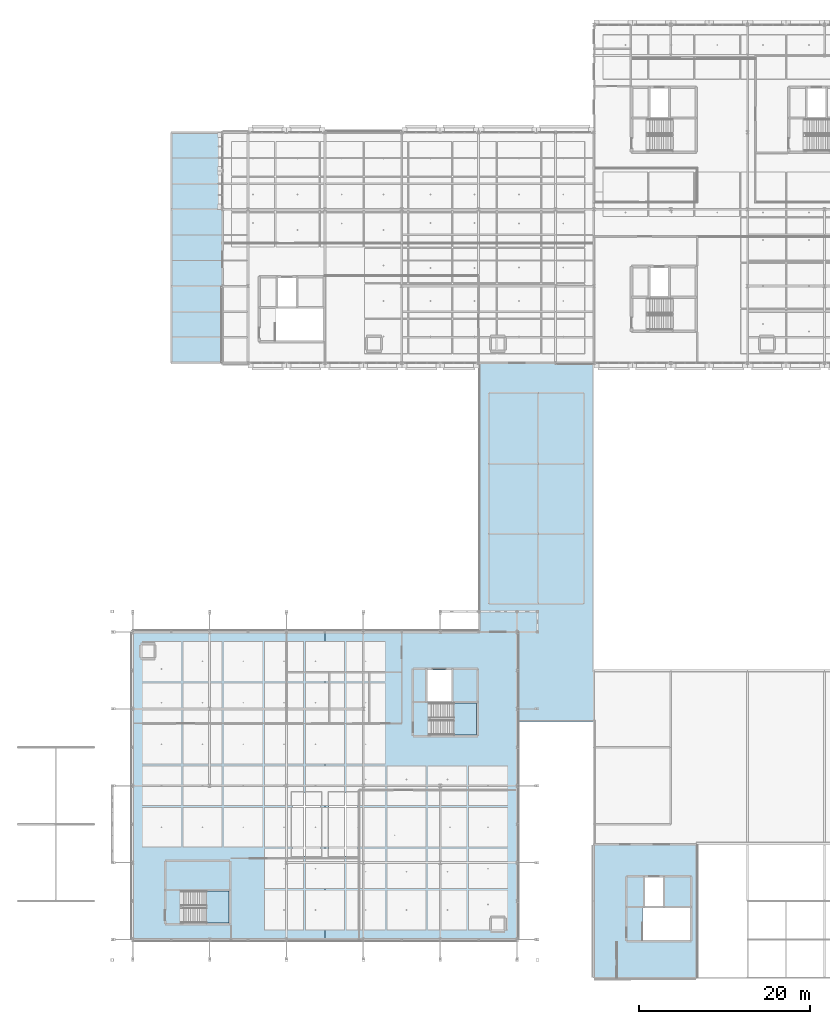
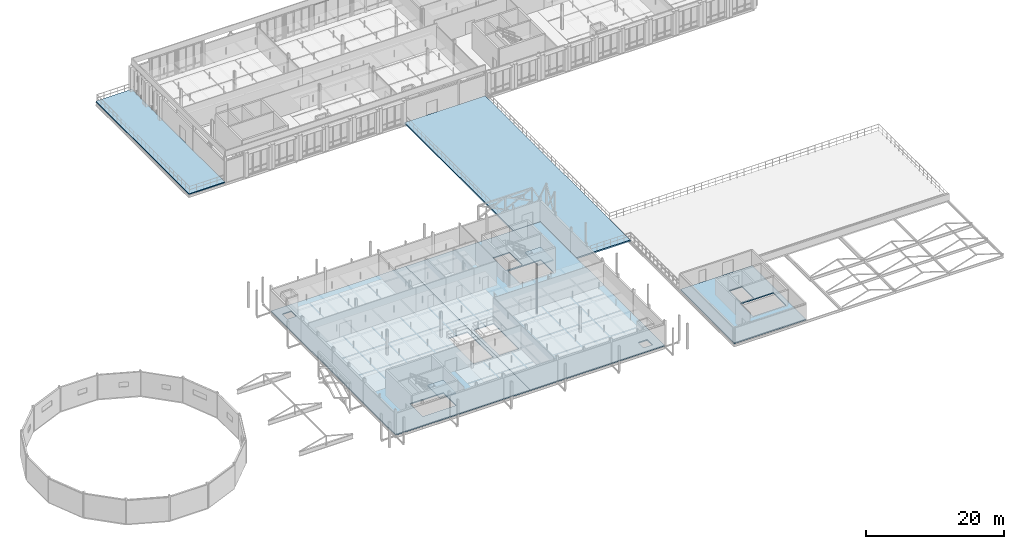
# One storey, part 36 of 89: 7 slabs, 2 elements without a shape of their own.
"""IFC4 building model written with IfcOpenShell, lengths in metres."""

from ifc_helpers import new_model, si_unit, direction, frame, origin, place, context, subcontext, project, spatial, polyline, outline, extrude, material, layer, layer_set, type_object, element, aggregate, save


model = new_model("IFC4")

# Units and contexts
model_context = context("Model", 3, precision=1e-05, world=origin(), true_north=direction((0.0, 1.0)))
body_context = subcontext(model_context, "Body", "Model", "MODEL_VIEW")
ifc_project = project(units=[si_unit("LENGTHUNIT", "METRE"), si_unit("AREAUNIT", "SQUARE_METRE"), si_unit("VOLUMEUNIT", "CUBIC_METRE"), si_unit("PLANEANGLEUNIT", "RADIAN"), si_unit("MASSUNIT", "GRAM", prefix="KILO"), si_unit("THERMODYNAMICTEMPERATUREUNIT", "KELVIN"), si_unit("POWERUNIT", "WATT")], contexts=[model_context])

# Site, building, storey
site_placement = place(None, origin())
site = spatial("IfcSite", under=ifc_project, at=site_placement, CompositionType="ELEMENT")
building_placement = place(site_placement, origin())
building = spatial("IfcBuilding", under=site, at=building_placement, Name="Tallowbark Science Centre", CompositionType="ELEMENT")
storey_placement = place(building_placement, frame((0.0, 0.0, 14.39990234375)))
storey = spatial("IfcBuildingStorey", under=building, at=storey_placement, Name="L03", CompositionType="ELEMENT", Elevation=14.39990234375)

# Slabs
ifc_material = material(Name="Concrete Grade N40 (40 MPa)", Category="concrete")
ifc_layer_1 = layer(ifc_material, 0.179931640625)
ifc_layer_set_1 = layer_set([ifc_layer_1], Name="Concrete Grade N40 (40 MPa)")
slab_type_1 = type_object("IfcSlabType", Name="SLB-FLR-180", PredefinedType="FLOOR", material=ifc_layer_set_1)
slab_1_placement = place(storey_placement, frame((0.0, 0.0, -0.179931640625)))
element("IfcSlab", 1, at=slab_1_placement, inside=storey, type_object=slab_type_1, Name="Exhibition Hall West Slab SLB-CUB-W-L03", PredefinedType="FLOOR", context=body_context, shape_type="SweptSolid", body=[
    extrude(outline(polyline([(58.5, 4.5), (81.0, 4.5), (81.0, 40.5), (58.5, 40.5), (58.5, 4.5)]), holes=[polyline([(64.2099609375, 6.449951171875), (69.75, 6.449951171875), (69.75, 10.169921875), (64.2099609375, 10.169921875), (64.2099609375, 6.449951171875)]), polyline([(59.5, 37.5), (61.0, 37.5), (61.0, 39.0), (59.5, 39.0), (59.5, 37.5)]), polyline([(77.199951171875, 14.300048828125), (80.5, 14.300048828125), (80.5, 21.699951171875), (77.199951171875, 21.699951171875), (77.199951171875, 14.300048828125)])]), origin(), (0.0, 0.0, 1.0), 0.179931640625),
])
slab_2_placement = place(storey_placement, frame((0.0, 0.0, -0.179931640625)))
element("IfcSlab", 2, at=slab_2_placement, inside=storey, type_object=slab_type_1, Name="Exhibition Hall East Slab SLB-CUB-E-L03", PredefinedType="FLOOR", context=body_context, shape_type="SweptSolid", body=[
    extrude(outline(polyline([(81.0, 4.5), (103.5, 4.5), (103.5, 40.5), (81.0, 40.5), (81.0, 4.5)]), holes=[polyline([(93.2099609375, 28.449951171875), (98.75, 28.449951171875), (98.75, 32.169921875), (93.2099609375, 32.169921875), (93.2099609375, 28.449951171875)]), polyline([(93.0, 32.419921875), (95.800048828125, 32.419921875), (95.800048828125, 36.050048828125), (93.0, 36.050048828125), (93.0, 32.419921875)]), polyline([(100.5, 5.5), (102.0, 5.5), (102.0, 7.0), (100.5, 7.0), (100.5, 5.5)]), polyline([(81.5, 14.300048828125), (84.800048828125, 14.300048828125), (84.800048828125, 21.699951171875), (81.5, 21.699951171875), (81.5, 14.300048828125)])]), origin(), (0.0, 0.0, 1.0), 0.179931640625),
])
slab_3_placement = place(storey_placement, frame((0.0, 0.0, -0.179931640625)))
element("IfcSlab", 3, at=slab_3_placement, inside=storey, type_object=slab_type_1, Name="Core C6 Roof Garden Vestibule Slab SLB-HDH-FLR-C6", PredefinedType="FLOOR", context=body_context, shape_type="SweptSolid", body=[
    extrude(outline(polyline([(112.52490234375, 0.0), (124.5, 0.0), (124.5, 15.60009765625), (112.52490234375, 15.60009765625), (112.52490234375, 0.0)]), holes=[polyline([(118.2099609375, 4.449951171875), (123.75, 4.449951171875), (123.75, 8.169921875), (118.2099609375, 8.169921875), (118.2099609375, 4.449951171875)]), polyline([(118.5, 8.419921875), (120.60009765625, 8.419921875), (120.60009765625, 11.75), (118.5, 11.75), (118.5, 8.419921875)])]), origin(), (0.0, 0.0, 1.0), 0.179931640625),
])
ifc_layer_2 = layer(ifc_material, 0.239990234375)
ifc_layer_set_2 = layer_set([ifc_layer_2], Name="Concrete Grade N40 (40 MPa)")
slab_type_2 = type_object("IfcSlabType", Name="SLB-GND-240", PredefinedType="FLOOR", material=ifc_layer_set_2)
slab_4_placement = place(storey_placement, frame((0.0, 0.0, -0.239990234375)))
element("IfcSlab", 4, at=slab_4_placement, inside=storey, type_object=slab_type_2, Name="East Link L03 Planted Roof Garden Terrace SLB-LNK-RG-L03", PredefinedType="FLOOR", context=body_context, shape_type="SweptSolid", body=[
    extrude(outline(polyline([(99.0, 40.5), (103.5, 40.5), (103.5, 30.0), (112.47509765625, 30.0), (112.47509765625, 72.0), (99.0, 72.0), (99.0, 40.5)])), origin(), (0.0, 0.0, 1.0), 0.239990234375),
])

# Stair, slab
stair_type_1 = type_object("IfcStairType", Name="STR-C3", PredefinedType="HALF_TURN_STAIR", material=ifc_material)
stair_1_placement = place(storey_placement, origin())
stair_1 = element("IfcStair", 5, at=stair_1_placement, inside=storey, type_object=stair_type_1, Name="L03 Fire Stair ST-03", PredefinedType="HALF_TURN_STAIR")
ifc_layer_3 = layer(ifc_material, 0.199951171875)
ifc_layer_set_3 = layer_set([ifc_layer_3], Name="Concrete Grade N40 (40 MPa)")
slab_type_3 = type_object("IfcSlabType", Name="SLB-LND-200", PredefinedType="LANDING", material=ifc_layer_set_3)
slab_5_placement = place(storey_placement, frame((0.0, 0.0, 2.050048828125)))
slab_5 = element("IfcSlab", 6, at=slab_5_placement, type_object=slab_type_3, Name="ST-03 landing 1", PredefinedType="LANDING", context=body_context, shape_type="SweptSolid", body=[
    extrude(outline(polyline([(96.125, 28.449951171875), (98.75, 28.449951171875), (98.75, 32.169921875), (96.125, 32.169921875), (96.125, 28.449951171875)])), origin(), (0.0, 0.0, 1.0), 0.199951171875),
])
aggregate(stair_1, [slab_5])

stair_type_2 = type_object("IfcStairType", Name="STR-C7", PredefinedType="HALF_TURN_STAIR", material=ifc_material)
stair_2_placement = place(storey_placement, origin())
stair_2 = element("IfcStair", 7, at=stair_2_placement, inside=storey, type_object=stair_type_2, Name="L03 Fire Stair ST-07", PredefinedType="HALF_TURN_STAIR")
slab_6_placement = place(storey_placement, frame((0.0, 0.0, 2.050048828125)))
slab_6 = element("IfcSlab", 8, at=slab_6_placement, type_object=slab_type_3, Name="ST-07 landing 1", PredefinedType="LANDING", context=body_context, shape_type="SweptSolid", body=[
    extrude(outline(polyline([(67.125, 6.449951171875), (69.75, 6.449951171875), (69.75, 10.169921875), (67.125, 10.169921875), (67.125, 6.449951171875)])), origin(), (0.0, 0.0, 1.0), 0.199951171875),
])
aggregate(stair_2, [slab_6])

# Slab
ifc_layer_4 = layer(ifc_material, 0.169921875)
ifc_layer_set_4 = layer_set([ifc_layer_4], Name="Concrete Grade N40 (40 MPa)")
slab_type_4 = type_object("IfcSlabType", Name="SLB-TER-170", PredefinedType="FLOOR", material=ifc_layer_set_4)
slab_7_placement = place(storey_placement, frame((0.0, 0.0, -0.169921875)))
element("IfcSlab", 9, at=slab_7_placement, inside=storey, type_object=slab_type_4, Name="Workshops L03 Planted Roof Garden SLB-LAB-RG-L03", PredefinedType="FLOOR", context=body_context, shape_type="SweptSolid", body=[
    extrude(outline(polyline([(63.0, 72.0), (69.0, 72.0), (69.0, 99.0), (63.0, 99.0), (63.0, 72.0)])), origin(), (0.0, 0.0, 1.0), 0.169921875),
])

save(model, "model.ifc")
